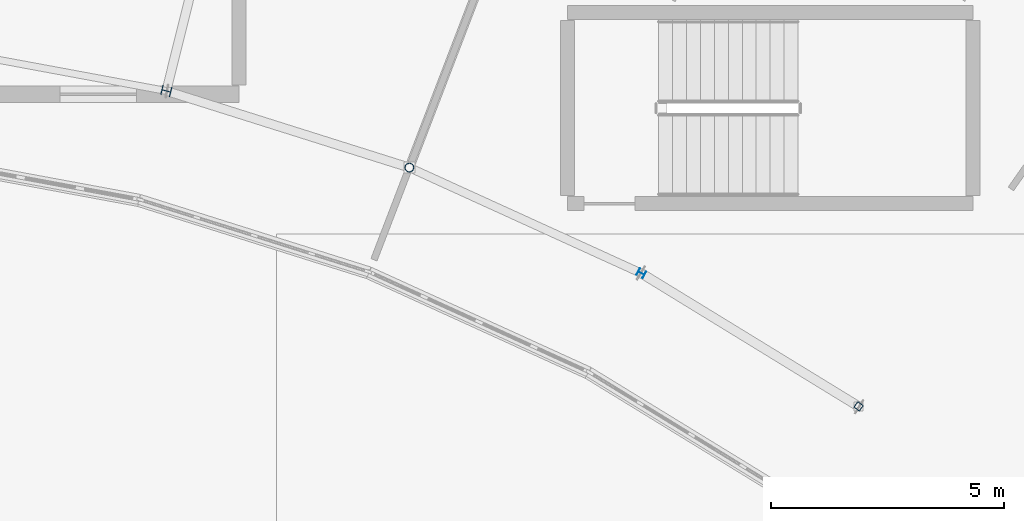
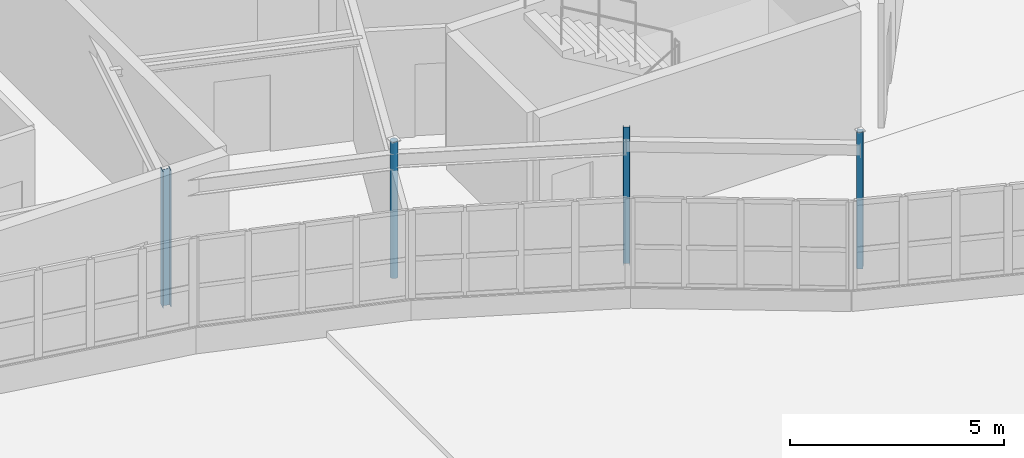
# One storey, part 13 of 128: 4 columns.
"""IFC4 building model written with IfcOpenShell, lengths in metres."""

from ifc_helpers import new_model, si_unit, direction, frame, origin, origin_2d, place, context, subcontext, project, spatial, hollow_rectangle, hollow_circle, i_section, extrude, material, material_profile, profile_set, type_object, element, save


model = new_model("IFC4")

# Units and contexts
model_context = context("Model", 3, precision=1e-05, world=origin(), true_north=direction((0.0, 1.0)))
body_context = subcontext(model_context, "Body", "Model", "MODEL_VIEW")
ifc_project = project(units=[si_unit("LENGTHUNIT", "METRE"), si_unit("AREAUNIT", "SQUARE_METRE"), si_unit("VOLUMEUNIT", "CUBIC_METRE"), si_unit("PLANEANGLEUNIT", "RADIAN"), si_unit("MASSUNIT", "GRAM", prefix="KILO")], contexts=[model_context])

# Site, building, storey
site_placement = place(None, origin())
site = spatial("IfcSite", under=ifc_project, at=site_placement, CompositionType="ELEMENT")
building_placement = place(site_placement, origin())
building = spatial("IfcBuilding", under=site, at=building_placement, Name="Tarnwether General Hospital", CompositionType="ELEMENT")
storey_placement = place(building_placement, frame((0.0, 0.0, 14.39990234375)))
storey = spatial("IfcBuildingStorey", under=building, at=storey_placement, Name="L03", CompositionType="ELEMENT", Elevation=14.39990234375)

# Columns
ifc_material_1 = material(Name="Steel Grade 350 (350 MPa)", Category="steel")
ifc_material_profile_1 = material_profile(ifc_material_1, i_section(OverallWidth=0.202880859375, OverallDepth=0.202880859375, WebThickness=0.00732421875, FlangeThickness=0.010986328125, at=origin_2d()), Name="200UC46.2")
ifc_profile_set_1 = profile_set([ifc_material_profile_1], Name="Steel Grade 350 (350 MPa)")
column_type_1 = type_object("IfcColumnType", Name="COL-27", PredefinedType="COLUMN", material=ifc_profile_set_1)
column_1_placement = place(storey_placement, frame((102.837890625, 106.468994140625, 0.0), z_axis=(0.0, 0.0, 1.0), x_axis=(0.2419218956, 0.970295726276, 0.0)))
element("IfcColumn", 1, at=column_1_placement, inside=storey, type_object=column_type_1, Name="Column COLG-L03-10284_10647", PredefinedType="COLUMN", context=body_context, shape_type="SweptSolid", body=[
    extrude(i_section(OverallWidth=0.202880859375, OverallDepth=0.202880859375, WebThickness=0.00732421875, FlangeThickness=0.010986328125, at=origin_2d()), origin(), (0.0, 0.0, 1.0), 3.900146484375),
])
ifc_material_2 = material(Name="Steel Grade C350L0 (350 MPa)", Category="steel")
ifc_material_profile_2 = material_profile(ifc_material_2, hollow_circle(Radius=0.096923828125, WallThickness=0.008056640625, at=origin_2d()), Name="CHS193.7x8.0")
ifc_profile_set_2 = profile_set([ifc_material_profile_2], Name="Steel Grade C350L0 (350 MPa)")
column_type_2 = type_object("IfcColumnType", Name="COL-29", PredefinedType="COLUMN", material=ifc_profile_set_2)
column_2_placement = place(storey_placement, frame((108.054931640625, 104.823974609375, 0.0), z_axis=(0.0, 0.0, 1.0), x_axis=(0.358367949545, 0.933580426497, 0.0)))
element("IfcColumn", 2, at=column_2_placement, inside=storey, type_object=column_type_2, Name="Column COLG-L03-10806_10482", PredefinedType="COLUMN", context=body_context, shape_type="SweptSolid", body=[
    extrude(hollow_circle(Radius=0.096923828125, WallThickness=0.008056640625, at=origin_2d()), origin(), (0.0, 0.0, 1.0), 3.900146484375),
])
ifc_material_3 = material(Name="Steel Grade 350 (350 MPa)", Category="steel")
ifc_material_profile_3 = material_profile(ifc_material_3, i_section(OverallWidth=0.153076171875, OverallDepth=0.157958984375, WebThickness=0.006591796875, FlangeThickness=0.009521484375, at=origin_2d()), Name="150UC30.0")
ifc_profile_set_3 = profile_set([ifc_material_profile_3], Name="Steel Grade 350 (350 MPa)")
column_type_3 = type_object("IfcColumnType", Name="COL-31", PredefinedType="COLUMN", material=ifc_profile_set_3)
column_3_placement = place(storey_placement, frame((113.031982421875, 102.555908203125, 0.0), z_axis=(0.0, 0.0, 1.0), x_axis=(0.469471562786, 0.882947592859, 0.0)))
element("IfcColumn", 3, at=column_3_placement, inside=storey, type_object=column_type_3, Name="Column COLG-L03-11303_10256", PredefinedType="COLUMN", context=body_context, shape_type="SweptSolid", body=[
    extrude(i_section(OverallWidth=0.153076171875, OverallDepth=0.157958984375, WebThickness=0.006591796875, FlangeThickness=0.009521484375, at=origin_2d()), origin(), (0.0, 0.0, 1.0), 3.900146484375),
])
ifc_material_4 = material(Name="Steel Grade C350L0 (350 MPa)", Category="steel")
ifc_material_profile_4 = material_profile(ifc_material_4, hollow_rectangle(XDim=0.14990234375, YDim=0.14990234375, WallThickness=0.008056640625, at=origin_2d()), Name="SHS150x150x8")
ifc_profile_set_4 = profile_set([ifc_material_profile_4], Name="Steel Grade C350L0 (350 MPa)")
column_type_4 = type_object("IfcColumnType", Name="COL-33", PredefinedType="COLUMN", material=ifc_profile_set_4)
column_4_placement = place(storey_placement, frame((117.696044921875, 99.697998046875, 0.0), z_axis=(0.0, 0.0, 1.0), x_axis=(0.573576436351, 0.819152044289, 0.0)))
element("IfcColumn", 4, at=column_4_placement, inside=storey, type_object=column_type_4, Name="Column COLG-L03-11770_9970", PredefinedType="COLUMN", context=body_context, shape_type="SweptSolid", body=[
    extrude(hollow_rectangle(XDim=0.14990234375, YDim=0.14990234375, WallThickness=0.008056640625, at=origin_2d()), origin(), (0.0, 0.0, 1.0), 3.900146484375),
])

save(model, "model.ifc")
